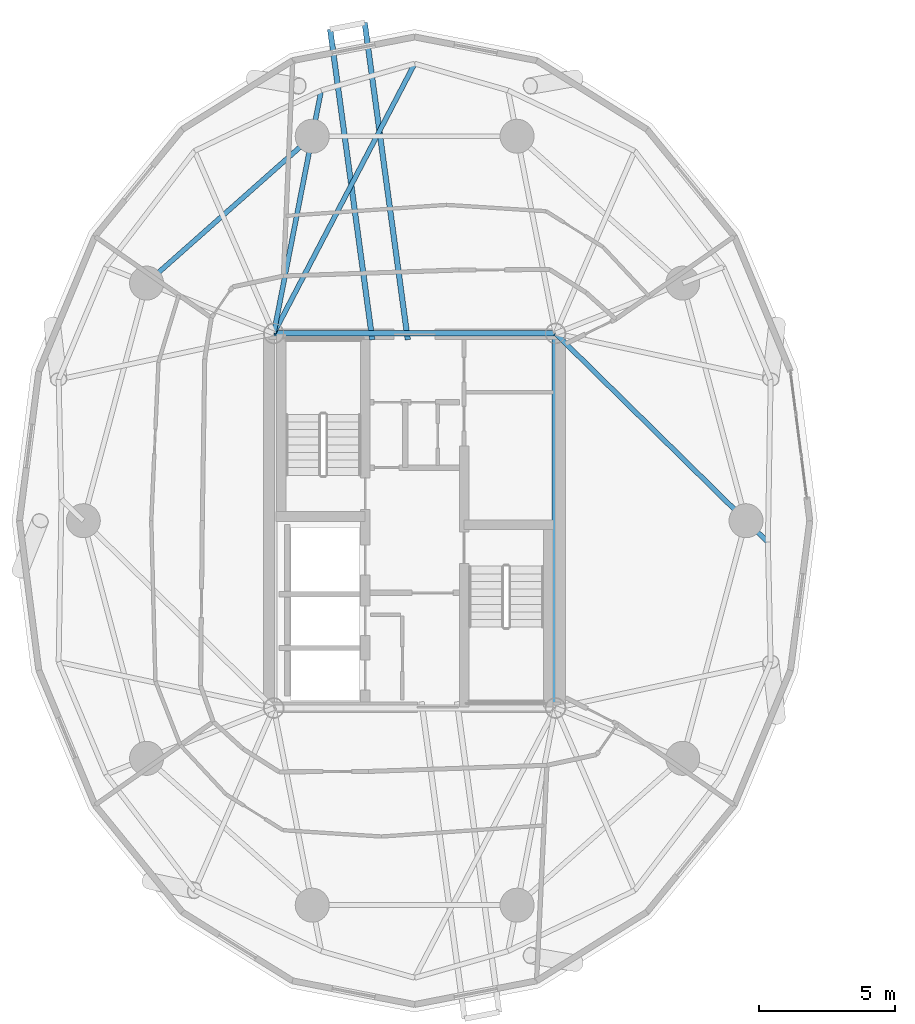
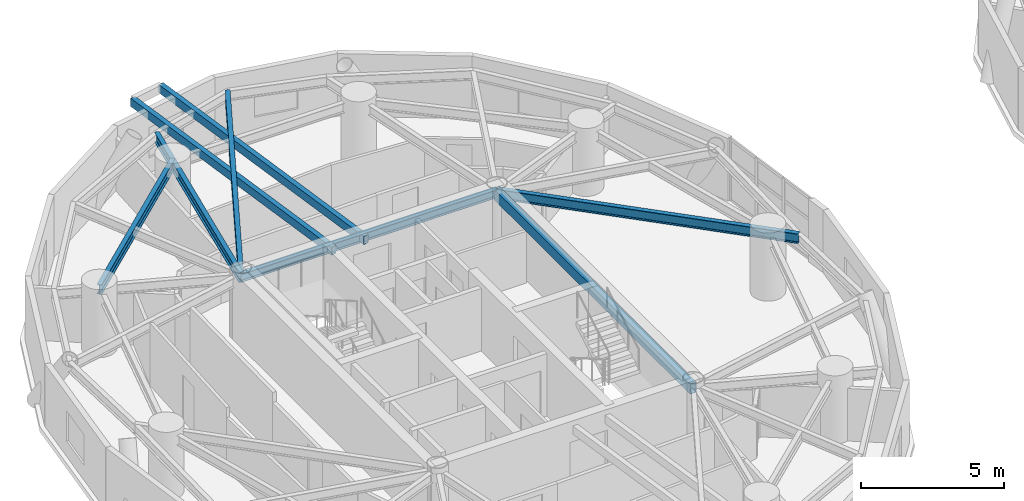
# One storey, part 2 of 17: 8 beams.
"""IFC4 building model written with IfcOpenShell, lengths in metres."""

from ifc_helpers import new_model, si_unit, direction, frame, origin, origin_2d, place, context, subcontext, project, spatial, hollow_rectangle, i_section, extrude, material, material_profile, profile_set, type_object, element, save


model = new_model("IFC4")

# Units and contexts
model_context = context("Model", 3, precision=1e-05, world=origin(), true_north=direction((0.0, 1.0)))
body_context = subcontext(model_context, "Body", "Model", "MODEL_VIEW")
ifc_project = project(units=[si_unit("LENGTHUNIT", "METRE"), si_unit("AREAUNIT", "SQUARE_METRE"), si_unit("VOLUMEUNIT", "CUBIC_METRE"), si_unit("PLANEANGLEUNIT", "RADIAN"), si_unit("MASSUNIT", "GRAM", prefix="KILO")], contexts=[model_context])

# Site, building, storey
site_placement = place(None, origin())
site = spatial("IfcSite", under=ifc_project, at=site_placement, CompositionType="ELEMENT")
building_placement = place(site_placement, origin())
building = spatial("IfcBuilding", under=site, at=building_placement, Name="Cununo Teusaquillo Station Towers", CompositionType="ELEMENT")
storey_placement = place(building_placement, frame((0.0, 0.0, 166.14990234375)))
storey = spatial("IfcBuildingStorey", under=building, at=storey_placement, Name="L52", CompositionType="ELEMENT", Elevation=166.14990234375)

# Beams
ifc_material_1 = material(Name="Steel EN 10025-2 S355J2", Category="steel")
ifc_material_profile_1 = material_profile(ifc_material_1, hollow_rectangle(XDim=0.199951171875, YDim=0.35009765625, WallThickness=0.013916015625, at=origin_2d()), Name="RHS 350x200x14")
ifc_profile_set_1 = profile_set([ifc_material_profile_1], Name="Steel EN 10025-2 S355J2")
beam_type_1 = type_object("IfcBeamType", Name="BM-BAL-CANT", PredefinedType="BEAM", material=ifc_profile_set_1)
beam_1_placement = place(storey_placement, frame((16.248046875, 31.14990234375, 2.51513671875), z_axis=(-0.134615370715, 0.990897927118, 0.0), x_axis=(-0.990897927118, -0.134615370715, 0.0)))
element("IfcBeam", 1, at=beam_1_placement, inside=storey, type_object=beam_type_1, Name="L52 Tower A Balcony Cantilever Bracket 1A", PredefinedType="BEAM", context=body_context, shape_type="SweptSolid", body=[
    extrude(hollow_rectangle(XDim=0.199951171875, YDim=0.35009765625, WallThickness=0.013916015625, at=origin_2d()), origin(), (0.0, 0.0, 1.0), 11.752197265625),
])
beam_2_placement = place(storey_placement, frame((14.94482421875, 31.14990234375, 2.51513671875), z_axis=(-0.134626438315, 0.990896423501, 0.0), x_axis=(-0.990896423501, -0.134626438315, 0.0)))
element("IfcBeam", 2, at=beam_2_placement, inside=storey, type_object=beam_type_1, Name="L52 Tower A Balcony Cantilever Bracket 1B", PredefinedType="BEAM", context=body_context, shape_type="SweptSolid", body=[
    extrude(hollow_rectangle(XDim=0.199951171875, YDim=0.35009765625, WallThickness=0.013916015625, at=origin_2d()), origin(), (0.0, 0.0, 1.0), 11.504638671875),
])
ifc_material_2 = material(Name="Steel EN 10025-2 S355J2", Category="steel")
ifc_material_profile_2 = material_profile(ifc_material_2, hollow_rectangle(XDim=0.25, YDim=0.449951171875, WallThickness=0.01611328125, at=origin_2d()), Name="RHS 450x250x16")
ifc_profile_set_2 = profile_set([ifc_material_profile_2], Name="Steel EN 10025-2 S355J2")
beam_type_2 = type_object("IfcBeamType", Name="BM-COUP-1", PredefinedType="USERDEFINED", material=ifc_profile_set_2)
beam_3_placement = place(storey_placement, frame((21.675048828125, 17.6201171875, 2.465087890625), z_axis=(0.0, 1.0, 0.0), x_axis=(-1.0, 0.0, 0.0)))
element("IfcBeam", 3, at=beam_3_placement, inside=storey, type_object=beam_type_2, Name="L52 Tower A Core Beam 2", ObjectType="COUPLING BEAM", PredefinedType="USERDEFINED", context=body_context, shape_type="SweptSolid", body=[
    extrude(hollow_rectangle(XDim=0.25, YDim=0.449951171875, WallThickness=0.01611328125, at=origin_2d()), origin(), (0.0, 0.0, 1.0), 13.759765625),
])
ifc_material_3 = material(Name="Steel ASTM A572 Grade 50", Category="steel")
ifc_material_profile_3 = material_profile(ifc_material_3, i_section(OverallWidth=0.180908203125, OverallDepth=0.4169921875, WebThickness=0.010986328125, FlangeThickness=0.018310546875, FilletRadius=0.012939453125, at=origin_2d()), Name="W16X57")
ifc_profile_set_3 = profile_set([ifc_material_profile_3], Name="Steel ASTM A572 Grade 50")
beam_type_3 = type_object("IfcBeamType", Name="BM-JOIST-1", PredefinedType="JOIST", material=ifc_profile_set_3)
beam_4_placement = place(storey_placement, frame((11.324951171875, 31.3798828125, 2.481689453125), z_axis=(0.462884645231, 0.886418527113, 0.0), x_axis=(-0.886418527113, 0.462884645231, 0.0)))
element("IfcBeam", 4, at=beam_4_placement, inside=storey, type_object=beam_type_3, Name="L52 Tower A Radial Spandrel Joist V05", PredefinedType="JOIST", context=body_context, shape_type="SweptSolid", body=[
    extrude(i_section(OverallWidth=0.180908203125, OverallDepth=0.4169921875, WebThickness=0.010986328125, FlangeThickness=0.018310546875, FilletRadius=0.012939453125, at=origin_2d()), origin(), (0.0, 0.0, 1.0), 11.179931640625),
])
ifc_material_4 = material(Name="Steel ASTM A572 Grade 50", Category="steel")
ifc_material_profile_4 = material_profile(ifc_material_4, i_section(OverallWidth=0.2041015625, OverallDepth=0.35009765625, WebThickness=0.008544921875, FlangeThickness=0.01513671875, FilletRadius=0.011962890625, at=origin_2d()), Name="W14X48")
ifc_profile_set_4 = profile_set([ifc_material_profile_4], Name="Steel ASTM A572 Grade 50")
beam_type_4 = type_object("IfcBeamType", Name="BM-LINTEL-1", PredefinedType="LINTEL", material=ifc_profile_set_4)
beam_5_placement = place(storey_placement, frame((11.324951171875, 31.3798828125, 2.51513671875), z_axis=(1.0, 0.0, 0.0), x_axis=(0.0, 1.0, 0.0)))
element("IfcBeam", 5, at=beam_5_placement, inside=storey, type_object=beam_type_4, Name="L52 Tower A Core Beam 4", PredefinedType="LINTEL", context=body_context, shape_type="SweptSolid", body=[
    extrude(i_section(OverallWidth=0.2041015625, OverallDepth=0.35009765625, WebThickness=0.008544921875, FlangeThickness=0.01513671875, FilletRadius=0.011962890625, at=origin_2d()), origin(), (0.0, 0.0, 1.0), 10.35009765625),
])
ifc_material_5 = material(Name="Steel ASTM A572 Grade 50", Category="steel")
ifc_material_profile_5 = material_profile(ifc_material_5, i_section(OverallWidth=0.180908203125, OverallDepth=0.4169921875, WebThickness=0.010986328125, FlangeThickness=0.018310546875, FilletRadius=0.012939453125, at=origin_2d()), Name="W16X57")
ifc_profile_set_5 = profile_set([ifc_material_profile_5], Name="Steel ASTM A572 Grade 50")
beam_type_5 = type_object("IfcBeamType", Name="BM-RAD-G2", PredefinedType="BEAM", material=ifc_profile_set_5)
beam_6_placement = place(storey_placement, frame((21.675048828125, 31.3798828125, 2.481689453125), z_axis=(0.713051946152, -0.701111205223, 0.0), x_axis=(0.701111205223, 0.713051946152, 0.0)))
element("IfcBeam", 6, at=beam_6_placement, inside=storey, type_object=beam_type_5, Name="L52 Tower A Continuous Overhanging Radial Girder 01", PredefinedType="BEAM", context=body_context, shape_type="SweptSolid", body=[
    extrude(i_section(OverallWidth=0.180908203125, OverallDepth=0.4169921875, WebThickness=0.010986328125, FlangeThickness=0.018310546875, FilletRadius=0.012939453125, at=origin_2d()), origin(), (0.0, 0.0, 1.0), 10.938720703125),
])
beam_7_placement = place(storey_placement, frame((11.324951171875, 31.3798828125, 2.481689453125), z_axis=(0.191557018874, 0.981481486591, 0.0), x_axis=(-0.981481486591, 0.191557018874, 0.0)))
element("IfcBeam", 7, at=beam_7_placement, inside=storey, type_object=beam_type_5, Name="L52 Tower A Continuous Overhanging Radial Girder 04", PredefinedType="BEAM", context=body_context, shape_type="SweptSolid", body=[
    extrude(i_section(OverallWidth=0.180908203125, OverallDepth=0.4169921875, WebThickness=0.010986328125, FlangeThickness=0.018310546875, FilletRadius=0.012939453125, at=origin_2d()), origin(), (0.0, 0.0, 1.0), 9.097412109375),
])
ifc_material_6 = material(Name="Steel ASTM A572 Grade 50", Category="steel")
ifc_material_profile_6 = material_profile(ifc_material_6, i_section(OverallWidth=0.180908203125, OverallDepth=0.4169921875, WebThickness=0.010986328125, FlangeThickness=0.018310546875, FilletRadius=0.012939453125, at=origin_2d()), Name="W16X57")
ifc_profile_set_6 = profile_set([ifc_material_profile_6], Name="Steel ASTM A572 Grade 50")
beam_type_6 = type_object("IfcBeamType", Name="BM-RING-Z3", PredefinedType="SPANDREL", material=ifc_profile_set_6)
beam_8_placement = place(storey_placement, frame((12.738525390625, 38.623291015625, 2.481689453125), z_axis=(-0.74832120039, -0.66333655187, 0.0), x_axis=(0.66333655187, -0.74832120039, 0.0)))
element("IfcBeam", 8, at=beam_8_placement, inside=storey, type_object=beam_type_6, Name="L52 Tower A Structural Column Ring Girder 04", PredefinedType="SPANDREL", context=body_context, shape_type="SweptSolid", body=[
    extrude(i_section(OverallWidth=0.180908203125, OverallDepth=0.4169921875, WebThickness=0.010986328125, FlangeThickness=0.018310546875, FilletRadius=0.012939453125, at=origin_2d()), origin(), (0.0, 0.0, 1.0), 8.1328125),
])

save(model, "model.ifc")
